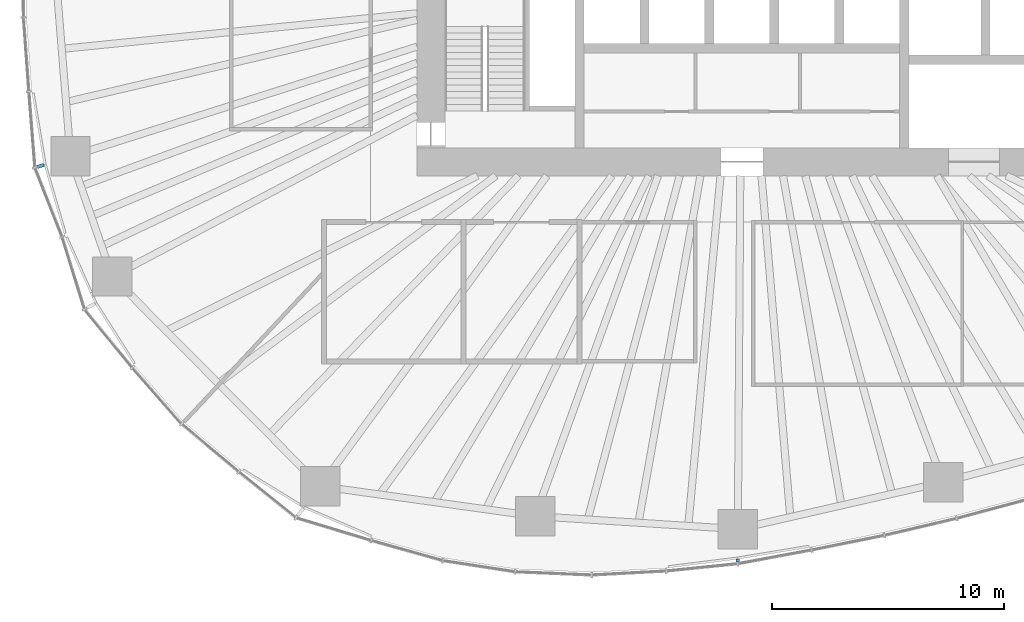
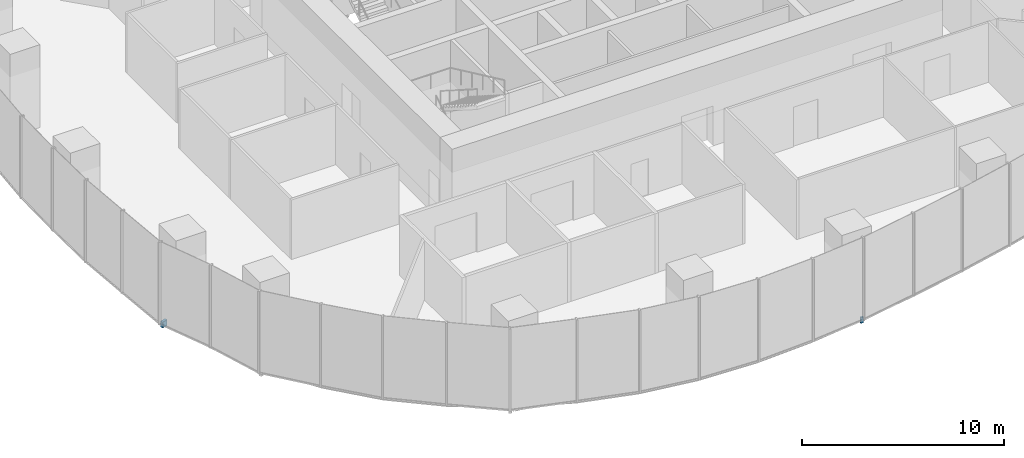
# One storey, part 13 of 20: 2 discrete accessories.
"""IFC4 building model written with IfcOpenShell, lengths in metres."""

from ifc_helpers import new_model, si_unit, direction, frame, origin, origin_2d, place, context, subcontext, project, spatial, rectangle, extrude, material, type_object, element, save


model = new_model("IFC4")

# Units and contexts
model_context = context("Model", 3, precision=1e-05, world=origin(), true_north=direction((0.0, 1.0)))
body_context = subcontext(model_context, "Body", "Model", "MODEL_VIEW")
ifc_project = project(units=[si_unit("LENGTHUNIT", "METRE"), si_unit("AREAUNIT", "SQUARE_METRE"), si_unit("VOLUMEUNIT", "CUBIC_METRE"), si_unit("PLANEANGLEUNIT", "RADIAN"), si_unit("MASSUNIT", "GRAM", prefix="KILO")], contexts=[model_context])

# Site, building, storey
site_placement = place(None, origin())
site = spatial("IfcSite", under=ifc_project, at=site_placement, CompositionType="ELEMENT")
building_placement = place(site_placement, origin())
building = spatial("IfcBuilding", under=site, at=building_placement, Name="Ghaith Harvest Tower", CompositionType="ELEMENT")
storey_placement = place(building_placement, frame((0.0, 0.0, 65.0)))
storey = spatial("IfcBuildingStorey", under=building, at=storey_placement, Name="L13", CompositionType="ELEMENT", Elevation=65.0)

# Discrete accessories
ifc_material_1 = material(Name="Stainless steel grade 1.4401", Category="steel")
discrete_accessory_type_1 = type_object("IfcDiscreteAccessoryType", Name="CURTAIN WALL BRACKET 315", PredefinedType="BRACKET", material=ifc_material_1)
discrete_accessory_1_placement = place(storey_placement, frame((-30.219482421875, -9.5771484375, -0.25), z_axis=(0.0, 0.0, 1.0), x_axis=(-0.953273219416, -0.302109531701, 0.0)))
element("IfcDiscreteAccessory", 1, at=discrete_accessory_1_placement, inside=storey, type_object=discrete_accessory_type_1, Name="CW-F bracket 1 bay 12 L13", PredefinedType="BRACKET", context=body_context, shape_type="SweptSolid", body=[
    extrude(rectangle(XDim=0.31494140625, YDim=0.14990234375, at=origin_2d()), origin(), (0.0, 0.0, 1.0), 0.35009765625),
])
ifc_material_2 = material(Name="Stainless steel grade 1.4401", Category="steel")
discrete_accessory_type_2 = type_object("IfcDiscreteAccessoryType", Name="CURTAIN WALL BRACKET 95", PredefinedType="BRACKET", material=ifc_material_2)
discrete_accessory_2_placement = place(storey_placement, frame((-0.181884765625, -26.569580078125, -0.25), z_axis=(0.0, 0.0, 1.0), x_axis=(-0.006843747957, -0.999976581283, 0.0)))
element("IfcDiscreteAccessory", 2, at=discrete_accessory_2_placement, inside=storey, type_object=discrete_accessory_type_2, Name="CW-F bracket 1 bay 16 L13", PredefinedType="BRACKET", context=body_context, shape_type="SweptSolid", body=[
    extrude(rectangle(XDim=0.094970703125, YDim=0.14990234375, at=origin_2d()), origin(), (0.0, 0.0, 1.0), 0.35009765625),
])

save(model, "model.ifc")
